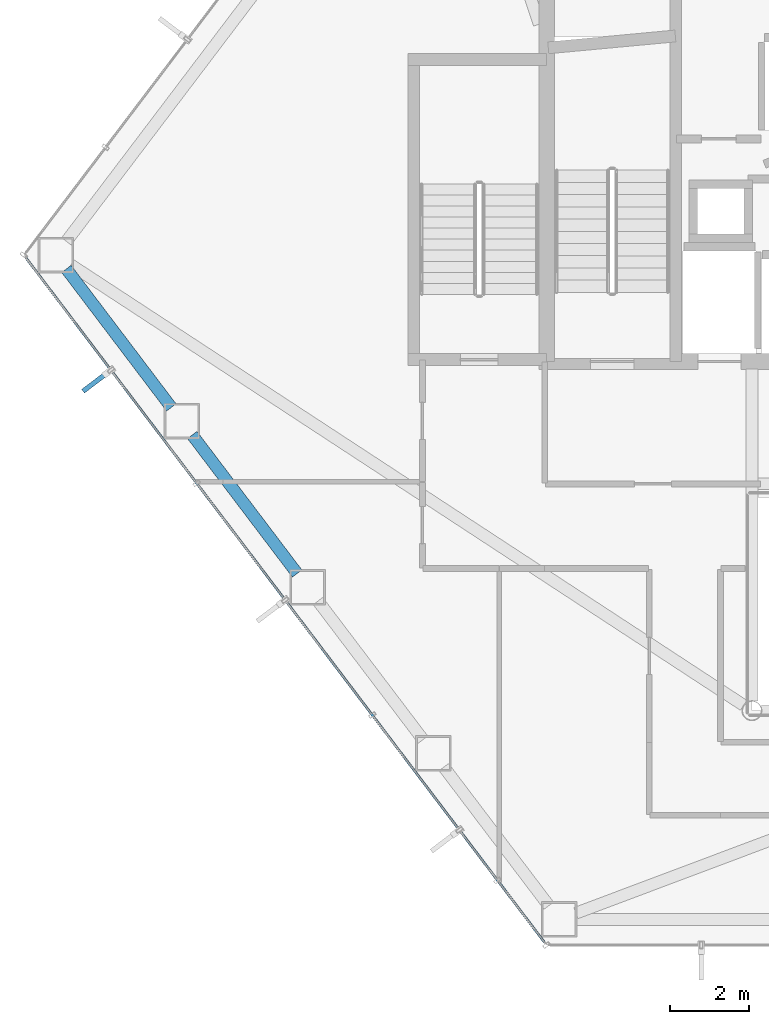
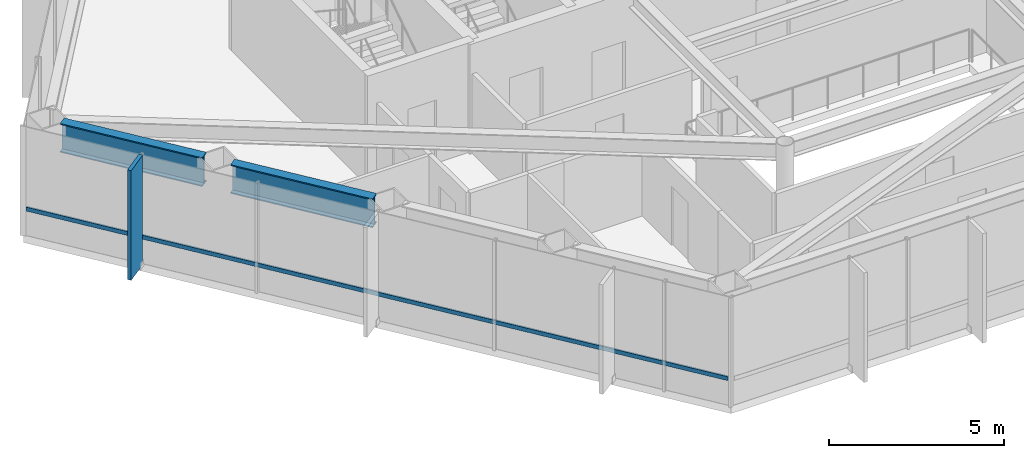
# One storey, part 3 of 25: 2 beams, 2 members, 1 element without a shape of its own.
"""IFC4 building model written with IfcOpenShell, lengths in metres."""

from ifc_helpers import new_model, si_unit, direction, frame, origin, origin_2d, place, context, subcontext, project, spatial, rectangle, hollow_rectangle, i_section, extrude, material, layer, layer_set, material_profile, profile_set, type_object, element, aggregate, save


model = new_model("IFC4")

# Units and contexts
model_context = context("Model", 3, precision=1e-05, world=origin(), true_north=direction((0.0, 1.0)))
body_context = subcontext(model_context, "Body", "Model", "MODEL_VIEW")
ifc_project = project(units=[si_unit("LENGTHUNIT", "METRE"), si_unit("AREAUNIT", "SQUARE_METRE"), si_unit("VOLUMEUNIT", "CUBIC_METRE"), si_unit("PLANEANGLEUNIT", "RADIAN"), si_unit("MASSUNIT", "GRAM", prefix="KILO")], contexts=[model_context])

# Site, building, storey
site_placement = place(None, origin())
site = spatial("IfcSite", under=ifc_project, at=site_placement, CompositionType="ELEMENT")
building_placement = place(site_placement, origin())
building = spatial("IfcBuilding", under=site, at=building_placement, Name="Zarrinselat Tower", CompositionType="ELEMENT")
storey_placement = place(building_placement, frame((0.0, 0.0, 88.739990234375)))
storey = spatial("IfcBuildingStorey", under=building, at=storey_placement, Name="L21", CompositionType="ELEMENT", Elevation=88.739990234375)

# Beams
ifc_material_1 = material(Name="Steel S460M", Category="steel")
ifc_material_profile_1 = material_profile(ifc_material_1, i_section(OverallWidth=0.302001953125, OverallDepth=1.008056640625, WebThickness=0.02099609375, FlangeThickness=0.0400390625, at=origin_2d()), Name="HEM 1000")
ifc_profile_set_1 = profile_set([ifc_material_profile_1], Name="Steel S460M")
beam_type = type_object("IfcBeamType", Name="BM-HEM1000", PredefinedType="BEAM", material=ifc_profile_set_1)
beam_1_placement = place(storey_placement, frame((16.427734375, 35.5966796875, 3.31591796875), z_axis=(0.603824602706, -0.797117211687, 0.0), x_axis=(0.797117211687, 0.603824602706, 0.0)))
element("IfcBeam", 1, at=beam_1_placement, inside=storey, type_object=beam_type, Name="L21 Perimeter Spandrel Girder SP06", PredefinedType="BEAM", context=body_context, shape_type="SweptSolid", body=[
    extrude(i_section(OverallWidth=0.302001953125, OverallDepth=1.008056640625, WebThickness=0.02099609375, FlangeThickness=0.0400390625, at=origin_2d()), origin(), (0.0, 0.0, 1.0), 4.404296875),
])
beam_2_placement = place(storey_placement, frame((19.6162109375, 31.3876953125, 3.31591796875), z_axis=(0.603859822423, -0.797090531159, 0.0), x_axis=(0.797090531159, 0.603859822423, 0.0)))
element("IfcBeam", 2, at=beam_2_placement, inside=storey, type_object=beam_type, Name="L21 Perimeter Spandrel Girder SP07", PredefinedType="BEAM", context=body_context, shape_type="SweptSolid", body=[
    extrude(i_section(OverallWidth=0.302001953125, OverallDepth=1.008056640625, WebThickness=0.02099609375, FlangeThickness=0.0400390625, at=origin_2d()), origin(), (0.0, 0.0, 1.0), 4.404541015625),
])

# Curtain wall, members
ifc_material_2 = material(Name="Extruded Aluminium Alloy EN AW-6063 T6", Category="aluminium")
ifc_layer = layer(ifc_material_2, 0.18505859375)
ifc_layer_set = layer_set([ifc_layer], Name="Extruded Aluminium Alloy EN AW-6063 T6")
curtain_wall_type = type_object("IfcCurtainWallType", Name="CWS-OFF", PredefinedType="NOTDEFINED", material=ifc_layer_set)
curtain_wall_placement = place(storey_placement, origin())
curtain_wall = element("IfcCurtainWall", 3, at=curtain_wall_placement, inside=storey, type_object=curtain_wall_type, Name="L21 Unitised Curtain Wall CW-L21-E03", PredefinedType="NOTDEFINED")
ifc_material_3 = material(Name="Extruded Aluminium Alloy EN AW-6063 T6", Category="aluminium")
ifc_material_profile_2 = material_profile(ifc_material_3, hollow_rectangle(XDim=0.06005859375, YDim=0.139892578125, WallThickness=0.00390625, at=origin_2d()), Name="RHS 140x60x4")
ifc_profile_set_2 = profile_set([ifc_material_profile_2], Name="Extruded Aluminium Alloy EN AW-6063 T6")
member_type_1 = type_object("IfcMemberType", Name="MEM-CW-TRN", PredefinedType="USERDEFINED", material=ifc_profile_set_2)
member_1_placement = place(storey_placement, frame((15.402099609375, 35.8740234375, 0.949951171875), z_axis=(0.603853151009, -0.797095585245, 0.0), x_axis=(0.797095585245, 0.603853151009, 0.0)))
member_1 = element("IfcMember", 4, at=member_1_placement, type_object=member_type_1, Name="CW-L21-E03 Transom 1", ObjectType="TRANSOM", PredefinedType="USERDEFINED", context=body_context, shape_type="SweptSolid", body=[
    extrude(hollow_rectangle(XDim=0.06005859375, YDim=0.139892578125, WallThickness=0.00390625, at=origin_2d()), origin(), (0.0, 0.0, 1.0), 21.7568359375),
])
ifc_material_4 = material(Name="Honed Cream Travertine Stone", Category="masonry")
ifc_material_profile_3 = material_profile(ifc_material_4, rectangle(XDim=0.1201171875, YDim=0.85009765625, at=origin_2d()), Name="FIN 850x120")
ifc_profile_set_3 = profile_set([ifc_material_profile_3], Name="Honed Cream Travertine Stone")
member_type_2 = type_object("IfcMemberType", Name="MEM-STONE-FIN", PredefinedType="USERDEFINED", material=ifc_profile_set_3)
member_2_placement = place(storey_placement, frame((17.188720703125, 32.753662109375, 0.0), z_axis=(0.0, 0.0, 1.0), x_axis=(-0.603856459269, 0.797093079006, 0.0)))
member_2 = element("IfcMember", 5, at=member_2_placement, type_object=member_type_2, Name="L21 Stone Shading Fin CW-L21-E03-01", ObjectType="FIN", PredefinedType="USERDEFINED", context=body_context, shape_type="SweptSolid", body=[
    extrude(rectangle(XDim=0.1201171875, YDim=0.85009765625, at=origin_2d()), origin(), (0.0, 0.0, 1.0), 3.820068359375),
])
aggregate(curtain_wall, [member_2, member_1])

save(model, "model.ifc")
